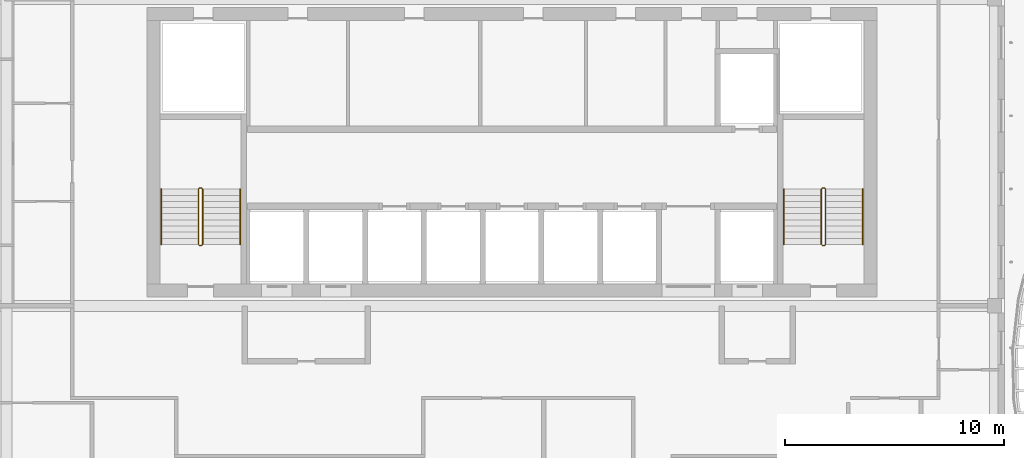
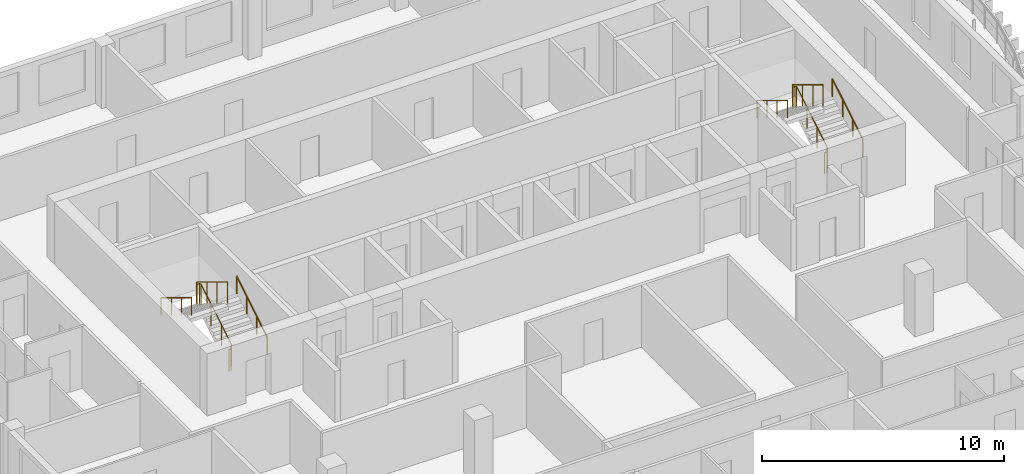
# One storey, part 16 of 17: 6 railings.
"""IFC4 building model written with IfcOpenShell, lengths in metres."""

from ifc_helpers import new_model, si_unit, direction, frame, origin, origin_2d, place, context, subcontext, project, spatial, circle, extrude, material, type_object, element, save


model = new_model("IFC4")

# Units and contexts
model_context = context("Model", 3, precision=1e-05, world=origin(), true_north=direction((0.0, 1.0)))
body_context = subcontext(model_context, "Body", "Model", "MODEL_VIEW")
ifc_project = project(units=[si_unit("LENGTHUNIT", "METRE"), si_unit("AREAUNIT", "SQUARE_METRE"), si_unit("VOLUMEUNIT", "CUBIC_METRE"), si_unit("PLANEANGLEUNIT", "RADIAN"), si_unit("MASSUNIT", "GRAM", prefix="KILO")], contexts=[model_context])

# Site, building, storey
site_placement = place(None, origin())
site = spatial("IfcSite", under=ifc_project, at=site_placement, CompositionType="ELEMENT")
building_placement = place(site_placement, origin())
building = spatial("IfcBuilding", under=site, at=building_placement, Name="Kilnfold Tower and Market Hall", CompositionType="ELEMENT")
storey_placement = place(building_placement, frame((0.0, 0.0, 273.800048828125)))
storey = spatial("IfcBuildingStorey", under=building, at=storey_placement, Name="L67", CompositionType="ELEMENT", Elevation=273.800048828125)

# Railings
ifc_material_1 = material(Name="Stainless steel 316", Category="steel")
railing_type_1 = type_object("IfcRailingType", Name="CORE STAIR GUARD 1100", PredefinedType="GUARDRAIL", material=ifc_material_1)
railing_1_placement = place(storey_placement, frame((-13.199951171875, 10.75, 0.0)))
element("IfcRailing", 1, at=railing_1_placement, inside=storey, type_object=railing_type_1, Name="L67 ST1 stair guard 1", PredefinedType="GUARDRAIL", context=body_context, shape_type="SweptSolid", body=[
    extrude(circle(Radius=0.02392578125, at=origin_2d()), frame((0.0, 0.0, 1.076171875), z_axis=(1.0, 0.0, 0.0), x_axis=(0.0, 1.0, 0.0)), (0.0, 0.0, 1.0), 0.099853515625),
    extrude(circle(Radius=0.02392578125, at=origin_2d()), frame((0.099853515625, 0.0, 1.076171875), z_axis=(0.271895245746, 0.271895245746, 0.923117517265), x_axis=(-0.707106781187, 0.707106781187, 0.0)), (0.0, 0.0, 1.0), 0.18408203125),
    extrude(circle(Radius=0.02392578125, at=origin_2d()), frame((0.14990234375, 0.050048828125, 1.24609375), z_axis=(0.0, 0.85478489116, 0.518982456201), x_axis=(-1.0, 0.0, 0.0)), (0.0, 0.0, 1.0), 2.9482421875),
    extrude(circle(Radius=0.02392578125, at=origin_2d()), frame((0.14990234375, 2.570068359375, 2.77587890625), z_axis=(-0.707106781187, 0.707106781187, 0.0), x_axis=(-0.707106781187, -0.707106781187, 0.0)), (0.0, 0.0, 1.0), 0.07080078125),
    extrude(circle(Radius=0.02392578125, at=origin_2d()), frame((0.099853515625, 2.6201171875, 2.77587890625), z_axis=(-1.0, 0.0, 0.0), x_axis=(0.0, -1.0, 0.0)), (0.0, 0.0, 1.0), 0.099853515625),
    extrude(circle(Radius=0.02392578125, at=origin_2d()), frame((0.0, 2.6201171875, 2.77587890625), z_axis=(-0.271895245746, -0.271895245746, 0.923117517265), x_axis=(0.707106781187, -0.707106781187, 0.0)), (0.0, 0.0, 1.0), 0.18408203125),
    extrude(circle(Radius=0.02392578125, at=origin_2d()), frame((-0.050048828125, 2.570068359375, 2.94580078125), z_axis=(0.0, -0.85478489116, 0.518982456201), x_axis=(1.0, 0.0, 0.0)), (0.0, 0.0, 1.0), 2.9482421875),
    extrude(circle(Radius=0.02099609375, at=origin_2d()), origin(), (0.0, 0.0, 1.0), 1.052001953125),
    extrude(circle(Radius=0.02099609375, at=origin_2d()), frame((0.099853515625, 0.0, 0.0)), (0.0, 0.0, 1.0), 1.052001953125),
    extrude(circle(Radius=0.02099609375, at=origin_2d()), frame((0.14990234375, 0.050048828125, 0.169921875)), (0.0, 0.0, 1.0), 1.052001953125),
    extrude(circle(Radius=0.02099609375, at=origin_2d()), frame((0.14990234375, 0.89013671875, 0.679931640625)), (0.0, 0.0, 1.0), 1.052001953125),
    extrude(circle(Radius=0.02099609375, at=origin_2d()), frame((0.14990234375, 1.72998046875, 1.18994140625)), (0.0, 0.0, 1.0), 1.052001953125),
    extrude(circle(Radius=0.02099609375, at=origin_2d()), frame((0.14990234375, 2.570068359375, 1.699951171875)), (0.0, 0.0, 1.0), 1.052001953125),
    extrude(circle(Radius=0.02099609375, at=origin_2d()), frame((0.099853515625, 2.6201171875, 1.699951171875)), (0.0, 0.0, 1.0), 1.052001953125),
    extrude(circle(Radius=0.02099609375, at=origin_2d()), frame((0.0, 2.6201171875, 1.699951171875)), (0.0, 0.0, 1.0), 1.052001953125),
    extrude(circle(Radius=0.02099609375, at=origin_2d()), frame((-0.050048828125, 2.570068359375, 1.869873046875)), (0.0, 0.0, 1.0), 1.052001953125),
    extrude(circle(Radius=0.02099609375, at=origin_2d()), frame((-0.050048828125, 1.72998046875, 2.3798828125)), (0.0, 0.0, 1.0), 1.052001953125),
    extrude(circle(Radius=0.02099609375, at=origin_2d()), frame((-0.050048828125, 0.89013671875, 2.889892578125)), (0.0, 0.0, 1.0), 1.052001953125),
    extrude(circle(Radius=0.02099609375, at=origin_2d()), frame((-0.050048828125, 0.050048828125, 3.39990234375)), (0.0, 0.0, 1.0), 1.052001953125),
])
railing_2_placement = place(storey_placement, frame((15.199951171875, 10.75, 0.0)))
element("IfcRailing", 2, at=railing_2_placement, inside=storey, type_object=railing_type_1, Name="L67 ST2 stair guard 1", PredefinedType="GUARDRAIL", context=body_context, shape_type="SweptSolid", body=[
    extrude(circle(Radius=0.02392578125, at=origin_2d()), frame((0.0, 0.0, 1.076171875), z_axis=(1.0, 0.0, 0.0), x_axis=(0.0, 1.0, 0.0)), (0.0, 0.0, 1.0), 0.10009765625),
    extrude(circle(Radius=0.02392578125, at=origin_2d()), frame((0.10009765625, 0.0, 1.076171875), z_axis=(0.271895245746, 0.271895245746, 0.923117517265), x_axis=(-0.707106781187, 0.707106781187, 0.0)), (0.0, 0.0, 1.0), 0.18408203125),
    extrude(circle(Radius=0.02392578125, at=origin_2d()), frame((0.150146484375, 0.050048828125, 1.24609375), z_axis=(0.0, 0.85478489116, 0.518982456201), x_axis=(-1.0, 0.0, 0.0)), (0.0, 0.0, 1.0), 2.9482421875),
    extrude(circle(Radius=0.02392578125, at=origin_2d()), frame((0.150146484375, 2.570068359375, 2.77587890625), z_axis=(-0.707106781187, 0.707106781187, 0.0), x_axis=(-0.707106781187, -0.707106781187, 0.0)), (0.0, 0.0, 1.0), 0.07080078125),
    extrude(circle(Radius=0.02392578125, at=origin_2d()), frame((0.10009765625, 2.6201171875, 2.77587890625), z_axis=(-1.0, 0.0, 0.0), x_axis=(0.0, -1.0, 0.0)), (0.0, 0.0, 1.0), 0.10009765625),
    extrude(circle(Radius=0.02392578125, at=origin_2d()), frame((0.0, 2.6201171875, 2.77587890625), z_axis=(-0.271895245746, -0.271895245746, 0.923117517265), x_axis=(0.707106781187, -0.707106781187, 0.0)), (0.0, 0.0, 1.0), 0.18408203125),
    extrude(circle(Radius=0.02392578125, at=origin_2d()), frame((-0.050048828125, 2.570068359375, 2.94580078125), z_axis=(0.0, -0.85478489116, 0.518982456201), x_axis=(1.0, 0.0, 0.0)), (0.0, 0.0, 1.0), 2.9482421875),
    extrude(circle(Radius=0.02099609375, at=origin_2d()), origin(), (0.0, 0.0, 1.0), 1.052001953125),
    extrude(circle(Radius=0.02099609375, at=origin_2d()), frame((0.10009765625, 0.0, 0.0)), (0.0, 0.0, 1.0), 1.052001953125),
    extrude(circle(Radius=0.02099609375, at=origin_2d()), frame((0.150146484375, 0.050048828125, 0.169921875)), (0.0, 0.0, 1.0), 1.052001953125),
    extrude(circle(Radius=0.02099609375, at=origin_2d()), frame((0.150146484375, 0.89013671875, 0.679931640625)), (0.0, 0.0, 1.0), 1.052001953125),
    extrude(circle(Radius=0.02099609375, at=origin_2d()), frame((0.150146484375, 1.72998046875, 1.18994140625)), (0.0, 0.0, 1.0), 1.052001953125),
    extrude(circle(Radius=0.02099609375, at=origin_2d()), frame((0.150146484375, 2.570068359375, 1.699951171875)), (0.0, 0.0, 1.0), 1.052001953125),
    extrude(circle(Radius=0.02099609375, at=origin_2d()), frame((0.10009765625, 2.6201171875, 1.699951171875)), (0.0, 0.0, 1.0), 1.052001953125),
    extrude(circle(Radius=0.02099609375, at=origin_2d()), frame((0.0, 2.6201171875, 1.699951171875)), (0.0, 0.0, 1.0), 1.052001953125),
    extrude(circle(Radius=0.02099609375, at=origin_2d()), frame((-0.050048828125, 2.570068359375, 1.869873046875)), (0.0, 0.0, 1.0), 1.052001953125),
    extrude(circle(Radius=0.02099609375, at=origin_2d()), frame((-0.050048828125, 1.72998046875, 2.3798828125)), (0.0, 0.0, 1.0), 1.052001953125),
    extrude(circle(Radius=0.02099609375, at=origin_2d()), frame((-0.050048828125, 0.89013671875, 2.889892578125)), (0.0, 0.0, 1.0), 1.052001953125),
    extrude(circle(Radius=0.02099609375, at=origin_2d()), frame((-0.050048828125, 0.050048828125, 3.39990234375)), (0.0, 0.0, 1.0), 1.052001953125),
])
ifc_material_2 = material(Name="Stainless steel 316", Category="steel")
railing_type_2 = type_object("IfcRailingType", Name="CORE STAIR HANDRAIL 900", PredefinedType="HANDRAIL", material=ifc_material_2)
railing_3_placement = place(storey_placement, frame((-11.35009765625, 10.800048828125, 0.169921875)))
element("IfcRailing", 3, at=railing_3_placement, inside=storey, type_object=railing_type_2, Name="L67 ST1 stair handrail 1", PredefinedType="HANDRAIL", context=body_context, shape_type="SweptSolid", body=[
    extrude(circle(Radius=0.02392578125, at=origin_2d()), frame((0.0, 0.0, 0.8759765625), z_axis=(0.0, 0.85478489116, 0.518982456201), x_axis=(-1.0, 0.0, 0.0)), (0.0, 0.0, 1.0), 2.9482421875),
    extrude(circle(Radius=0.02099609375, at=origin_2d()), origin(), (0.0, 0.0, 1.0), 0.851806640625),
    extrude(circle(Radius=0.02099609375, at=origin_2d()), frame((0.0, 0.840087890625, 0.510009765625)), (0.0, 0.0, 1.0), 0.851806640625),
    extrude(circle(Radius=0.02099609375, at=origin_2d()), frame((0.0, 1.679931640625, 1.02001953125)), (0.0, 0.0, 1.0), 0.851806640625),
    extrude(circle(Radius=0.02099609375, at=origin_2d()), frame((0.0, 2.52001953125, 1.530029296875)), (0.0, 0.0, 1.0), 0.851806640625),
])
railing_4_placement = place(storey_placement, frame((-14.949951171875, 13.320068359375, 1.869873046875)))
element("IfcRailing", 4, at=railing_4_placement, inside=storey, type_object=railing_type_2, Name="L67 ST1 stair handrail 2", PredefinedType="HANDRAIL", context=body_context, shape_type="SweptSolid", body=[
    extrude(circle(Radius=0.02392578125, at=origin_2d()), frame((0.0, 0.0, 0.8759765625), z_axis=(0.0, -0.85478489116, 0.518982456201), x_axis=(1.0, 0.0, 0.0)), (0.0, 0.0, 1.0), 2.9482421875),
    extrude(circle(Radius=0.02099609375, at=origin_2d()), origin(), (0.0, 0.0, 1.0), 0.851806640625),
    extrude(circle(Radius=0.02099609375, at=origin_2d()), frame((0.0, -0.840087890625, 0.510009765625)), (0.0, 0.0, 1.0), 0.851806640625),
    extrude(circle(Radius=0.02099609375, at=origin_2d()), frame((0.0, -1.679931640625, 1.02001953125)), (0.0, 0.0, 1.0), 0.851806640625),
    extrude(circle(Radius=0.02099609375, at=origin_2d()), frame((0.0, -2.52001953125, 1.530029296875)), (0.0, 0.0, 1.0), 0.851806640625),
])
railing_5_placement = place(storey_placement, frame((17.050048828125, 10.800048828125, 0.169921875)))
element("IfcRailing", 5, at=railing_5_placement, inside=storey, type_object=railing_type_2, Name="L67 ST2 stair handrail 1", PredefinedType="HANDRAIL", context=body_context, shape_type="SweptSolid", body=[
    extrude(circle(Radius=0.02392578125, at=origin_2d()), frame((0.0, 0.0, 0.8759765625), z_axis=(0.0, 0.85478489116, 0.518982456201), x_axis=(-1.0, 0.0, 0.0)), (0.0, 0.0, 1.0), 2.9482421875),
    extrude(circle(Radius=0.02099609375, at=origin_2d()), origin(), (0.0, 0.0, 1.0), 0.851806640625),
    extrude(circle(Radius=0.02099609375, at=origin_2d()), frame((0.0, 0.840087890625, 0.510009765625)), (0.0, 0.0, 1.0), 0.851806640625),
    extrude(circle(Radius=0.02099609375, at=origin_2d()), frame((0.0, 1.679931640625, 1.02001953125)), (0.0, 0.0, 1.0), 0.851806640625),
    extrude(circle(Radius=0.02099609375, at=origin_2d()), frame((0.0, 2.52001953125, 1.530029296875)), (0.0, 0.0, 1.0), 0.851806640625),
])
railing_6_placement = place(storey_placement, frame((13.449951171875, 13.320068359375, 1.869873046875)))
element("IfcRailing", 6, at=railing_6_placement, inside=storey, type_object=railing_type_2, Name="L67 ST2 stair handrail 2", PredefinedType="HANDRAIL", context=body_context, shape_type="SweptSolid", body=[
    extrude(circle(Radius=0.02392578125, at=origin_2d()), frame((0.0, 0.0, 0.8759765625), z_axis=(0.0, -0.85478489116, 0.518982456201), x_axis=(1.0, 0.0, 0.0)), (0.0, 0.0, 1.0), 2.9482421875),
    extrude(circle(Radius=0.02099609375, at=origin_2d()), origin(), (0.0, 0.0, 1.0), 0.851806640625),
    extrude(circle(Radius=0.02099609375, at=origin_2d()), frame((0.0, -0.840087890625, 0.510009765625)), (0.0, 0.0, 1.0), 0.851806640625),
    extrude(circle(Radius=0.02099609375, at=origin_2d()), frame((0.0, -1.679931640625, 1.02001953125)), (0.0, 0.0, 1.0), 0.851806640625),
    extrude(circle(Radius=0.02099609375, at=origin_2d()), frame((0.0, -2.52001953125, 1.530029296875)), (0.0, 0.0, 1.0), 0.851806640625),
])

save(model, "model.ifc")
